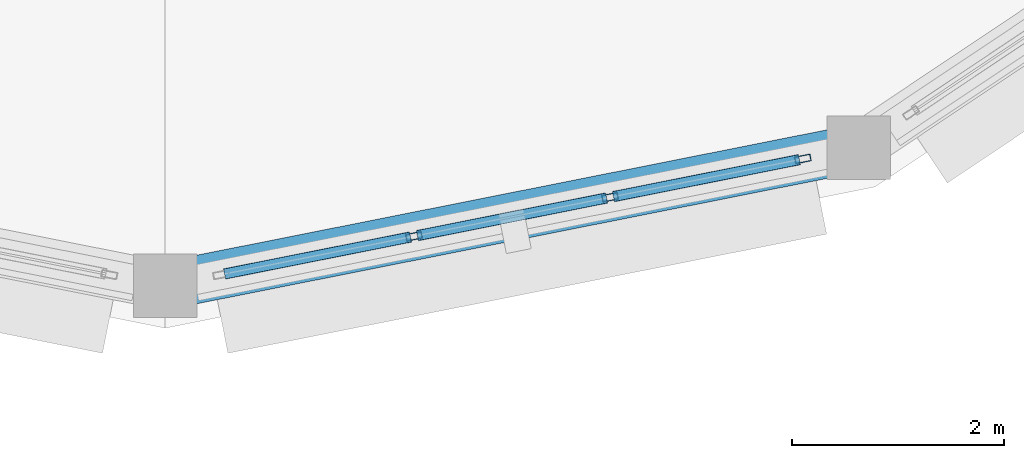
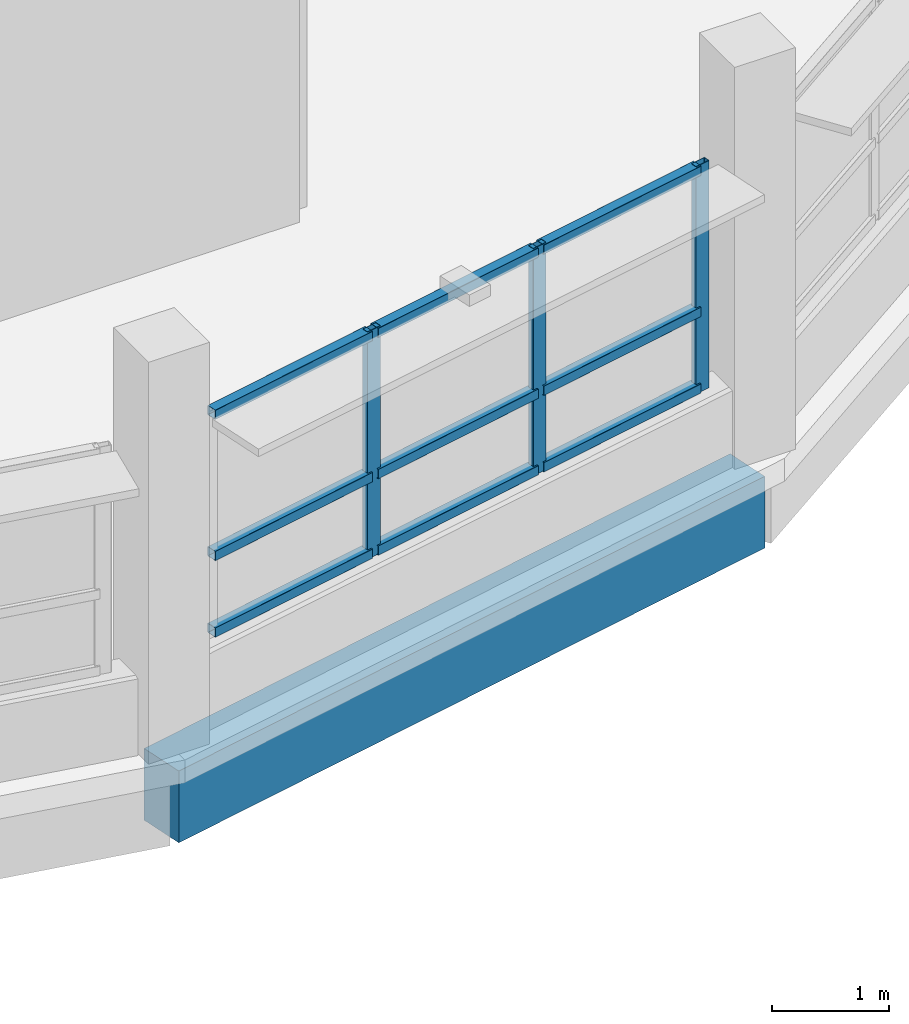
# One storey, part 75 of 128: 12 members, 1 beam, 1 element without a shape of its own.
"""IFC4 building model written with IfcOpenShell, lengths in metres."""

from ifc_helpers import new_model, si_unit, direction, frame, origin, origin_2d, place, context, subcontext, project, spatial, rectangle, hollow_rectangle, extrude, material, layer, layer_set, material_profile, profile_set, type_object, element, aggregate, save


model = new_model("IFC4")

# Units and contexts
model_context = context("Model", 3, precision=1e-05, world=origin(), true_north=direction((0.0, 1.0)))
body_context = subcontext(model_context, "Body", "Model", "MODEL_VIEW")
ifc_project = project(units=[si_unit("LENGTHUNIT", "METRE"), si_unit("AREAUNIT", "SQUARE_METRE"), si_unit("VOLUMEUNIT", "CUBIC_METRE"), si_unit("PLANEANGLEUNIT", "RADIAN"), si_unit("MASSUNIT", "GRAM", prefix="KILO")], contexts=[model_context])

# Site, building, storey
site_placement = place(None, origin())
site = spatial("IfcSite", under=ifc_project, at=site_placement, CompositionType="ELEMENT")
building_placement = place(site_placement, origin())
building = spatial("IfcBuilding", under=site, at=building_placement, Name="Vespera Passage Community Centre", CompositionType="ELEMENT")
storey_placement = place(building_placement, frame((0.0, 0.0, 4.5)))
storey = spatial("IfcBuildingStorey", under=building, at=storey_placement, Name="L01", CompositionType="ELEMENT", Elevation=4.5)

# Beam
ifc_material_1 = material(Name="Concrete f'c 35 MPa", Category="concrete")
ifc_material_profile_1 = material_profile(ifc_material_1, rectangle(XDim=0.449951171875, YDim=0.75, at=origin_2d()), Name="RC450X750")
ifc_profile_set_1 = profile_set([ifc_material_profile_1], Name="Concrete f'c 35 MPa")
beam_type = type_object("IfcBeamType", Name="BM-SP-450X750E", PredefinedType="SPANDREL", material=ifc_profile_set_1)
beam_placement = place(storey_placement, frame((141.0, 7.89990234375, -0.614990234375), z_axis=(0.980782809509, 0.195102743632, 0.0), x_axis=(-0.195102743632, 0.980782809509, 0.0)))
element("IfcBeam", 1, at=beam_placement, inside=storey, type_object=beam_type, Name="V3 L01 Spandrel 13", PredefinedType="SPANDREL", context=body_context, shape_type="SweptSolid", body=[
    extrude(rectangle(XDim=0.449951171875, YDim=0.75, at=origin_2d()), origin(), (0.0, 0.0, 1.0), 6.672119140625),
])

# Curtain wall, members
ifc_material_2 = material(Name="Anodized aluminium 6063-T6", Category="aluminium")
ifc_layer = layer(ifc_material_2, 0.159912109375)
ifc_layer_set = layer_set([ifc_layer], Name="Anodized aluminium 6063-T6")
curtain_wall_type = type_object("IfcCurtainWallType", Name="CW-105E", PredefinedType="NOTDEFINED", material=ifc_layer_set)
curtain_wall_placement = place(storey_placement, origin())
curtain_wall = element("IfcCurtainWall", 2, at=curtain_wall_placement, inside=storey, type_object=curtain_wall_type, Name="Dining Drum Ribbon Curtain Wall L01.13", PredefinedType="NOTDEFINED")
ifc_material_3 = material(Name="Anodized aluminium 6063-T6", Category="aluminium")
ifc_material_profile_2 = material_profile(ifc_material_3, hollow_rectangle(XDim=0.06494140625, YDim=0.14990234375, WallThickness=0.00390625, InnerFilletRadius=0.001953125, OuterFilletRadius=0.00390625, at=origin_2d()), Name="ALU150X65X4")
ifc_profile_set_2 = profile_set([ifc_material_profile_2], Name="Anodized aluminium 6063-T6")
member_type_1 = type_object("IfcMemberType", Name="MB-CWM-150E", PredefinedType="MULLION", material=ifc_profile_set_2)
member_1_placement = place(storey_placement, frame((147.015869140625, 9.0966796875, 0.800048828125), z_axis=(0.0, 0.0, 1.0), x_axis=(0.195096778691, -0.980783996069, 0.0)))
member_1 = element("IfcMember", 3, at=member_1_placement, type_object=member_type_1, Name="CW-105E mullion 1", PredefinedType="MULLION", context=body_context, shape_type="SweptSolid", body=[
    extrude(hollow_rectangle(XDim=0.06494140625, YDim=0.14990234375, WallThickness=0.00390625, InnerFilletRadius=0.001953125, OuterFilletRadius=0.00390625, at=origin_2d()), origin(), (0.0, 0.0, 1.0), 2.375),
])
member_2_placement = place(storey_placement, frame((145.197265625, 8.73486328125, 0.800048828125), z_axis=(0.0, 0.0, 1.0), x_axis=(0.195096778691, -0.980783996069, 0.0)))
member_2 = element("IfcMember", 4, at=member_2_placement, type_object=member_type_1, Name="CW-105E mullion 2", PredefinedType="MULLION", context=body_context, shape_type="SweptSolid", body=[
    extrude(hollow_rectangle(XDim=0.06494140625, YDim=0.14990234375, WallThickness=0.00390625, InnerFilletRadius=0.001953125, OuterFilletRadius=0.00390625, at=origin_2d()), origin(), (0.0, 0.0, 1.0), 2.375),
])
member_3_placement = place(storey_placement, frame((143.3466796875, 8.36669921875, 0.800048828125), z_axis=(0.0, 0.0, 1.0), x_axis=(0.195096778691, -0.980783996069, 0.0)))
member_3 = element("IfcMember", 5, at=member_3_placement, type_object=member_type_1, Name="CW-105E mullion 3", PredefinedType="MULLION", context=body_context, shape_type="SweptSolid", body=[
    extrude(hollow_rectangle(XDim=0.06494140625, YDim=0.14990234375, WallThickness=0.00390625, InnerFilletRadius=0.001953125, OuterFilletRadius=0.00390625, at=origin_2d()), origin(), (0.0, 0.0, 1.0), 2.375),
])
ifc_material_4 = material(Name="Anodized aluminium 6063-T6", Category="aluminium")
ifc_material_profile_3 = material_profile(ifc_material_4, hollow_rectangle(XDim=0.10009765625, YDim=0.10009765625, WallThickness=0.00390625, InnerFilletRadius=0.001953125, OuterFilletRadius=0.00390625, at=origin_2d()), Name="ALU100X100X4")
ifc_profile_set_3 = profile_set([ifc_material_profile_3], Name="Anodized aluminium 6063-T6")
member_type_2 = type_object("IfcMemberType", Name="MB-CWT-100E", PredefinedType="USERDEFINED", material=ifc_profile_set_3)
member_4_placement = place(storey_placement, frame((146.98388671875, 9.09033203125, 0.85009765625), z_axis=(-0.980779590975, -0.195118922523, 0.0), x_axis=(0.195118922523, -0.980779590975, 0.0)))
member_4 = element("IfcMember", 6, at=member_4_placement, type_object=member_type_2, Name="CW-105E transom 1.1", ObjectType="TRANSOM", PredefinedType="USERDEFINED", context=body_context, shape_type="SweptSolid", body=[
    extrude(hollow_rectangle(XDim=0.10009765625, YDim=0.10009765625, WallThickness=0.00390625, InnerFilletRadius=0.001953125, OuterFilletRadius=0.00390625, at=origin_2d()), origin(), (0.0, 0.0, 1.0), 1.789306640625),
])
member_5_placement = place(storey_placement, frame((146.98388671875, 9.09033203125, 1.64990234375), z_axis=(-0.980779590975, -0.195118922523, 0.0), x_axis=(0.195118922523, -0.980779590975, 0.0)))
member_5 = element("IfcMember", 7, at=member_5_placement, type_object=member_type_2, Name="CW-105E transom 1.2", ObjectType="TRANSOM", PredefinedType="USERDEFINED", context=body_context, shape_type="SweptSolid", body=[
    extrude(hollow_rectangle(XDim=0.10009765625, YDim=0.10009765625, WallThickness=0.00390625, InnerFilletRadius=0.001953125, OuterFilletRadius=0.00390625, at=origin_2d()), origin(), (0.0, 0.0, 1.0), 1.789306640625),
])
member_6_placement = place(storey_placement, frame((146.98388671875, 9.09033203125, 3.125), z_axis=(-0.980779590975, -0.195118922523, 0.0), x_axis=(0.195118922523, -0.980779590975, 0.0)))
member_6 = element("IfcMember", 8, at=member_6_placement, type_object=member_type_2, Name="CW-105E transom 1.3", ObjectType="TRANSOM", PredefinedType="USERDEFINED", context=body_context, shape_type="SweptSolid", body=[
    extrude(hollow_rectangle(XDim=0.10009765625, YDim=0.10009765625, WallThickness=0.00390625, InnerFilletRadius=0.001953125, OuterFilletRadius=0.00390625, at=origin_2d()), origin(), (0.0, 0.0, 1.0), 1.789306640625),
])
member_7_placement = place(storey_placement, frame((145.165283203125, 8.728515625, 0.85009765625), z_axis=(-0.980776065507, -0.195136642714, 0.0), x_axis=(0.195136642714, -0.980776065507, 0.0)))
member_7 = element("IfcMember", 9, at=member_7_placement, type_object=member_type_2, Name="CW-105E transom 2.1", ObjectType="TRANSOM", PredefinedType="USERDEFINED", context=body_context, shape_type="SweptSolid", body=[
    extrude(hollow_rectangle(XDim=0.10009765625, YDim=0.10009765625, WallThickness=0.00390625, InnerFilletRadius=0.001953125, OuterFilletRadius=0.00390625, at=origin_2d()), origin(), (0.0, 0.0, 1.0), 1.821533203125),
])
member_8_placement = place(storey_placement, frame((145.165283203125, 8.728515625, 1.64990234375), z_axis=(-0.980776065507, -0.195136642714, 0.0), x_axis=(0.195136642714, -0.980776065507, 0.0)))
member_8 = element("IfcMember", 10, at=member_8_placement, type_object=member_type_2, Name="CW-105E transom 2.2", ObjectType="TRANSOM", PredefinedType="USERDEFINED", context=body_context, shape_type="SweptSolid", body=[
    extrude(hollow_rectangle(XDim=0.10009765625, YDim=0.10009765625, WallThickness=0.00390625, InnerFilletRadius=0.001953125, OuterFilletRadius=0.00390625, at=origin_2d()), origin(), (0.0, 0.0, 1.0), 1.821533203125),
])
member_9_placement = place(storey_placement, frame((145.165283203125, 8.728515625, 3.125), z_axis=(-0.980776065507, -0.195136642714, 0.0), x_axis=(0.195136642714, -0.980776065507, 0.0)))
member_9 = element("IfcMember", 11, at=member_9_placement, type_object=member_type_2, Name="CW-105E transom 2.3", ObjectType="TRANSOM", PredefinedType="USERDEFINED", context=body_context, shape_type="SweptSolid", body=[
    extrude(hollow_rectangle(XDim=0.10009765625, YDim=0.10009765625, WallThickness=0.00390625, InnerFilletRadius=0.001953125, OuterFilletRadius=0.00390625, at=origin_2d()), origin(), (0.0, 0.0, 1.0), 1.821533203125),
])
member_10_placement = place(storey_placement, frame((143.31494140625, 8.3603515625, 0.85009765625), z_axis=(-0.980805694528, -0.194987665203, 0.0), x_axis=(0.194987665203, -0.980805694528, 0.0)))
member_10 = element("IfcMember", 12, at=member_10_placement, type_object=member_type_2, Name="CW-105E transom 3.1", ObjectType="TRANSOM", PredefinedType="USERDEFINED", context=body_context, shape_type="SweptSolid", body=[
    extrude(hollow_rectangle(XDim=0.10009765625, YDim=0.10009765625, WallThickness=0.00390625, InnerFilletRadius=0.001953125, OuterFilletRadius=0.00390625, at=origin_2d()), origin(), (0.0, 0.0, 1.0), 1.789306640625),
])
member_11_placement = place(storey_placement, frame((143.31494140625, 8.3603515625, 1.64990234375), z_axis=(-0.980805694528, -0.194987665203, 0.0), x_axis=(0.194987665203, -0.980805694528, 0.0)))
member_11 = element("IfcMember", 13, at=member_11_placement, type_object=member_type_2, Name="CW-105E transom 3.2", ObjectType="TRANSOM", PredefinedType="USERDEFINED", context=body_context, shape_type="SweptSolid", body=[
    extrude(hollow_rectangle(XDim=0.10009765625, YDim=0.10009765625, WallThickness=0.00390625, InnerFilletRadius=0.001953125, OuterFilletRadius=0.00390625, at=origin_2d()), origin(), (0.0, 0.0, 1.0), 1.789306640625),
])
member_12_placement = place(storey_placement, frame((143.31494140625, 8.3603515625, 3.125), z_axis=(-0.980805694528, -0.194987665203, 0.0), x_axis=(0.194987665203, -0.980805694528, 0.0)))
member_12 = element("IfcMember", 14, at=member_12_placement, type_object=member_type_2, Name="CW-105E transom 3.3", ObjectType="TRANSOM", PredefinedType="USERDEFINED", context=body_context, shape_type="SweptSolid", body=[
    extrude(hollow_rectangle(XDim=0.10009765625, YDim=0.10009765625, WallThickness=0.00390625, InnerFilletRadius=0.001953125, OuterFilletRadius=0.00390625, at=origin_2d()), origin(), (0.0, 0.0, 1.0), 1.789306640625),
])
aggregate(curtain_wall, [member_1, member_2, member_3, member_4, member_5, member_6, member_7, member_8, member_9, member_10, member_11, member_12])

save(model, "model.ifc")
